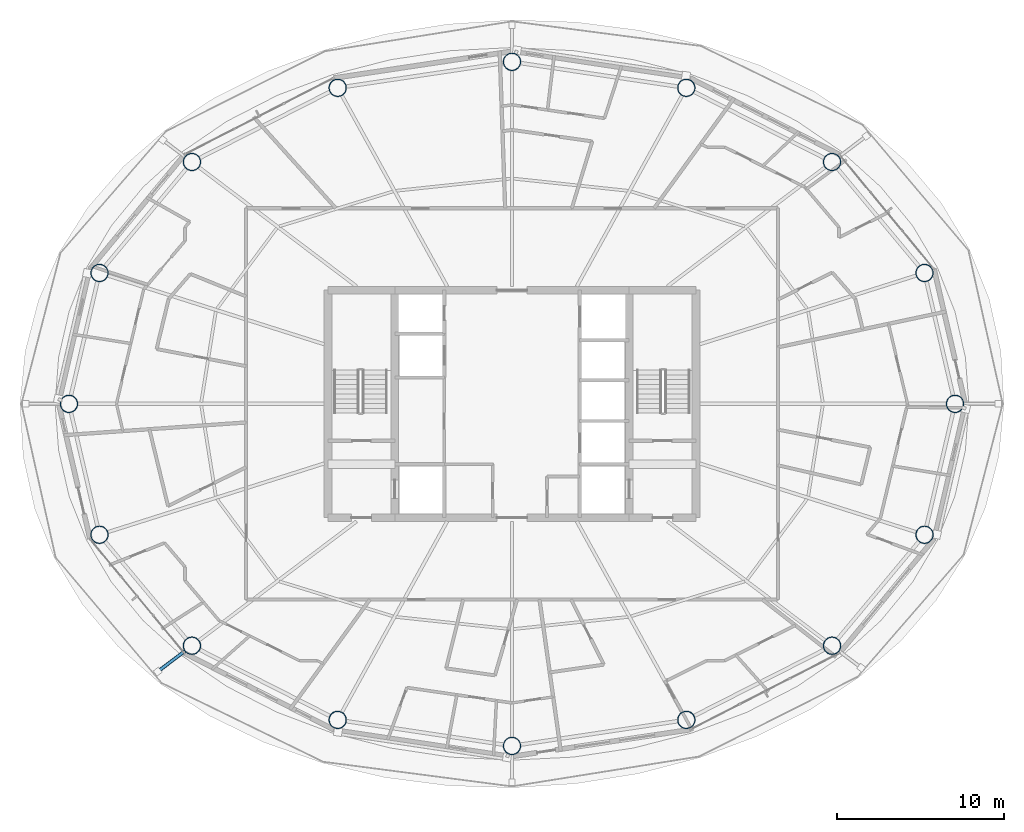
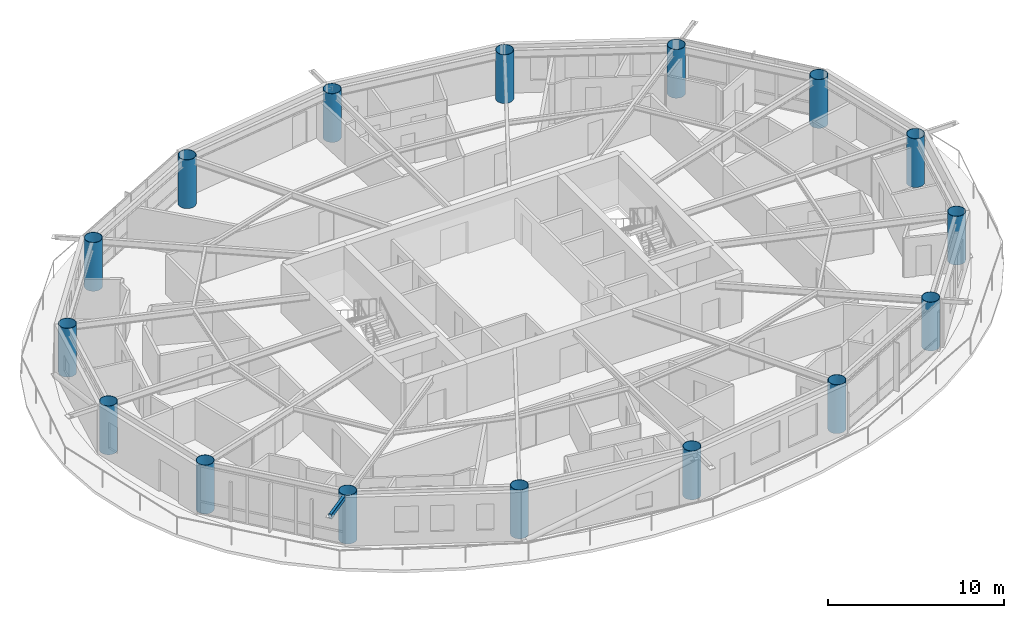
# One storey, part 1 of 30: 16 columns, 1 member.
"""IFC4 building model written with IfcOpenShell, lengths in metres."""

import ifcopenshell
import ifcopenshell.guid

model = None  # the IFC model being written
_history = None  # IfcOwnerHistory: only IFC2X3 demands one
_inside = {}  # id of a spatial element -> (the spatial element, [elements in it])
_under = {}  # id of a project, library or spatial element -> (it, [spatial elements below it])
_declared = {}  # id of a project -> (the project, [libraries it declares])
_typed = {}  # id of a type object -> (the type object, [elements of that type])
_made_of = {}  # id of a material, layer set ... -> (it, [elements and type objects made of it])


def new_model(schema):
    """Start an empty IFC model of exactly this schema.

    Asked for "IFC4X3", IfcOpenShell would pick the latest addendum, in which some entities
    have other attributes; the version numbers below select the first issue.
    IFC2X3 requires an IfcOwnerHistory on every rooted entity: one is made here for all.
    """
    global model, _history
    if schema == "IFC4X3":
        model = ifcopenshell.file(schema_version=(4, 3, 0, 0))
    else:
        model = ifcopenshell.file(schema=schema)
    _inside.clear()
    _under.clear()
    _declared.clear()
    _typed.clear()
    _made_of.clear()
    _history = None
    if model.schema == "IFC2X3":
        org = make("IfcOrganization", Name="unknown")
        user = make(
            "IfcPersonAndOrganization",
            ThePerson=make("IfcPerson", FamilyName="unknown"),
            TheOrganization=org,
        )
        app = make(
            "IfcApplication",
            ApplicationDeveloper=org,
            Version="unknown",
            ApplicationFullName="unknown",
            ApplicationIdentifier="unknown",
        )
        _history = make(
            "IfcOwnerHistory",
            OwningUser=user,
            OwningApplication=app,
            ChangeAction="ADDED",
            CreationDate=0,
        )
    return model


def make(cls, **values):
    """One entity of the class cls with the attributes given. An attribute that is None is left unset."""
    return model.create_entity(
        cls, **{name: value for name, value in values.items() if value is not None}
    )


def rooted(cls, **values):
    """An entity with a GlobalId (a new one), such as an element, a storey or a relation."""
    return make(cls, GlobalId=ifcopenshell.guid.new(), OwnerHistory=_history, **values)


def si_unit(unit_type, name, prefix=None):
    """IfcSIUnit, for example si_unit("LENGTHUNIT", "METRE", prefix="MILLI")."""
    return make("IfcSIUnit", UnitType=unit_type, Prefix=prefix, Name=name)


def assignment(units):
    """IfcUnitAssignment: the units of a project."""
    return None if units is None else make("IfcUnitAssignment", Units=units)


def point(xyz):
    """IfcCartesianPoint."""
    return None if xyz is None else make("IfcCartesianPoint", Coordinates=xyz)


def direction(xyz):
    """IfcDirection."""
    return None if xyz is None else make("IfcDirection", DirectionRatios=xyz)


def frame(location, z_axis=None, x_axis=None):
    """IfcAxis2Placement3D, a coordinate frame: its origin and axes. An axis left out is left unset."""
    return make(
        "IfcAxis2Placement3D",
        Location=point(location),
        Axis=direction(z_axis),
        RefDirection=direction(x_axis),
    )


def frame_2d(location, x_axis=None):
    """IfcAxis2Placement2D, a coordinate frame in the plane: its origin and x axis."""
    return make(
        "IfcAxis2Placement2D", Location=point(location), RefDirection=direction(x_axis)
    )


def origin():
    """The frame at (0, 0, 0) with its axes left unset."""
    return frame((0.0, 0.0, 0.0))


def origin_2d():
    """The frame at (0, 0) in the plane with its x axis left unset."""
    return frame_2d((0.0, 0.0))


def place(relative_to, where):
    """IfcLocalPlacement: puts the frame where relative to a parent placement (None: the world)."""
    return make(
        "IfcLocalPlacement", PlacementRelTo=relative_to, RelativePlacement=where
    )


def context(
    kind, dimensions, precision=None, world=None, true_north=None, identifier=None
):
    """IfcGeometricRepresentationContext, for example the 3D "Model" context."""
    return make(
        "IfcGeometricRepresentationContext",
        ContextIdentifier=identifier,
        ContextType=kind,
        CoordinateSpaceDimension=dimensions,
        Precision=precision,
        WorldCoordinateSystem=world,
        TrueNorth=true_north,
    )


def subcontext(parent, identifier, kind, view, scale=None):
    """IfcGeometricRepresentationSubContext, for example "Body" below "Model"."""
    return make(
        "IfcGeometricRepresentationSubContext",
        ContextIdentifier=identifier,
        ContextType=kind,
        ParentContext=parent,
        TargetScale=scale,
        TargetView=view,
    )


def project(units=None, contexts=None):
    """IfcProject with its units and contexts."""
    return rooted(
        "IfcProject",
        Name="project",
        RepresentationContexts=contexts,
        UnitsInContext=assignment(units),
    )


def spatial(cls, under=None, at=None, **own):
    """A site, building, storey or space (cls), placed at a placement, below another one or the project."""
    s = rooted(cls, ObjectPlacement=at, **own)
    if under is not None:
        _under.setdefault(under.id(), (under, []))[1].append(s)
    return s


def profile(cls, at=None, kind="AREA", **sizes):
    """A parametric profile (cls). Its sizes go by their IFC names, for example OverallWidth=200.0."""
    return make(cls, ProfileType=kind, Position=at, **sizes)


def hollow_rectangle(**sizes):
    """IfcRectangleHollowProfileDef."""
    return profile("IfcRectangleHollowProfileDef", **sizes)


def hollow_circle(**sizes):
    """IfcCircleHollowProfileDef."""
    return profile("IfcCircleHollowProfileDef", **sizes)


def extrude(swept, where, along, depth):
    """IfcExtrudedAreaSolid: the profile swept, set in the frame where, extruded along a direction by depth."""
    return make(
        "IfcExtrudedAreaSolid",
        SweptArea=swept,
        Position=where,
        ExtrudedDirection=direction(along),
        Depth=depth,
    )


def shape(context_of_items, identifier, shape_type, items):
    """IfcShapeRepresentation: the items that make up one representation, for example the "Body"."""
    return make(
        "IfcShapeRepresentation",
        ContextOfItems=context_of_items,
        RepresentationIdentifier=identifier,
        RepresentationType=shape_type,
        Items=items,
    )


def material(Name=None, Category=None):
    """IfcMaterial."""
    return make("IfcMaterial", Name=Name, Category=Category)


def material_profile(
    of_material, cross_section, Name=None, Category=None, Priority=None
):
    """IfcMaterialProfile: a cross section and its material."""
    return make(
        "IfcMaterialProfile",
        Name=Name,
        Material=of_material,
        Profile=cross_section,
        Priority=Priority,
        Category=Category,
    )


def profile_set(profiles, Name=None, composite=None):
    """IfcMaterialProfileSet."""
    return make(
        "IfcMaterialProfileSet",
        Name=Name,
        MaterialProfiles=profiles,
        CompositeProfile=composite,
    )


def made_of(thing, what):
    """Note that an element or type object is made of a material, layer set ...; save() writes the relation."""
    if what is not None:
        _made_of.setdefault(what.id(), (what, []))[1].append(thing)
    return thing


def type_object(cls, material=None, **own):
    """A type object (cls), such as IfcWallType, which elements share."""
    return made_of(rooted(cls, **own), material)


def element(
    cls,
    number,
    at=None,
    inside=None,
    cuts=None,
    type_object=None,
    material=None,
    context=None,
    identifier="Body",
    shape_type=None,
    held_by="IfcProductDefinitionShape",
    body=None,
    shapes=None,
    **own,
):
    """One element of the class cls, such as IfcWall. Its Tag is "e" and its number.

    at: its placement. inside: the storey or other place that contains it. cuts: it is an
    opening in that element (IfcRelVoidsElement). A single representation is given by context,
    identifier, shape_type and body (its items); several are given by shapes. held_by: the class
    of the entity that holds the representations. save() writes the other relations.
    """
    e = rooted(cls, Tag="e%d" % number, ObjectPlacement=at, **own)
    if body is not None:
        shapes = [shape(context, identifier, shape_type, body)]
    if shapes is not None:
        e.Representation = make(held_by, Representations=shapes)
    if inside is not None:
        _inside.setdefault(inside.id(), (inside, []))[1].append(e)
    if cuts is not None:
        rooted(
            "IfcRelVoidsElement", RelatingBuildingElement=cuts, RelatedOpeningElement=e
        )
    if type_object is not None:
        _typed.setdefault(type_object.id(), (type_object, []))[1].append(e)
    return made_of(e, material)


def aggregate(whole, parts):
    """IfcRelAggregates: a whole, such as a stair, and the parts it consists of."""
    return rooted("IfcRelAggregates", RelatingObject=whole, RelatedObjects=parts)


def save(model, path):
    """Write the relations noted so far, then the file.

    IfcRelAggregates (storeys below a building ...), IfcRelContainedInSpatialStructure (elements
    in a storey), IfcRelDefinesByType, IfcRelAssociatesMaterial and IfcRelDeclares: one each for
    every whole, place, type object, material and project.
    """
    for whole, parts in _under.values():
        aggregate(whole, parts)
    for where, things in _inside.values():
        rooted(
            "IfcRelContainedInSpatialStructure",
            RelatedElements=things,
            RelatingStructure=where,
        )
    for kind, things in _typed.values():
        rooted("IfcRelDefinesByType", RelatedObjects=things, RelatingType=kind)
    for what, things in _made_of.values():
        rooted("IfcRelAssociatesMaterial", RelatedObjects=things, RelatingMaterial=what)
    for by, libraries in _declared.values():
        rooted("IfcRelDeclares", RelatingContext=by, RelatedDefinitions=libraries)
    model.write(path)


model = new_model("IFC4")

# Units and contexts
model_context = context("Model", 3, precision=1e-05, world=origin(), true_north=direction((0.0, 1.0)))
body_context = subcontext(model_context, "Body", "Model", "MODEL_VIEW")
ifc_project = project(units=[si_unit("LENGTHUNIT", "METRE"), si_unit("AREAUNIT", "SQUARE_METRE"), si_unit("VOLUMEUNIT", "CUBIC_METRE"), si_unit("PLANEANGLEUNIT", "RADIAN"), si_unit("MASSUNIT", "GRAM", prefix="KILO")], contexts=[model_context])

# Site, building, storey
site_placement = place(None, origin())
site = spatial("IfcSite", under=ifc_project, at=site_placement, CompositionType="ELEMENT")
building_placement = place(site_placement, origin())
building = spatial("IfcBuilding", under=site, at=building_placement, Name="Sarneth Arch Tower", CompositionType="ELEMENT")
storey_placement = place(building_placement, frame((0.0, 0.0, 168.60009765625)))
storey = spatial("IfcBuildingStorey", under=building, at=storey_placement, Name="L42", CompositionType="ELEMENT", Elevation=168.60009765625)

# Columns
ifc_material_1 = material(Name="Steel S355", Category="steel")
ifc_material_profile_1 = material_profile(ifc_material_1, hollow_circle(Radius=0.52490234375, WallThickness=0.028076171875, at=origin_2d()), Name="CHS1050x28")
ifc_profile_set_1 = profile_set([ifc_material_profile_1], Name="Steel S355")
column_type = type_object("IfcColumnType", Name="COL-MEGA-1050", PredefinedType="COLUMN", material=ifc_profile_set_1)
for number, where, z_axis, x_axis, name in (
    (1, (74.487060546875, 42.0, 0.0), (0.0, 0.0, 1.0), (1.0, 0.0, 0.0), "L42 Perimeter mega-column M01"),
    (2, (72.662109375, 49.825927734375, 0.0), (0.0, 0.0, 1.0), (1.0, 0.0, 0.0), "L42 Perimeter mega-column M02"),
    (3, (67.1337890625, 56.46044921875, 0.0), (0.0, 0.0, 1.0), (1.0, 0.0, 0.0), "L42 Perimeter mega-column M03"),
    (4, (58.421875, 60.893310546875, 0.0), (0.0, 0.0, 1.0), (1.0, 0.0, 0.0), "L42 Perimeter mega-column M04"),
    (5, (48.0, 62.449951171875, 0.0), (0.0, 0.0, 1.0), (1.0, 0.0, 0.0), "L42 Perimeter mega-column M05"),
    (6, (37.578125, 60.893310546875, 0.0), (0.0, 0.0, 1.0), (1.0, 0.0, 0.0), "L42 Perimeter mega-column M06"),
    (7, (28.8662109375, 56.46044921875, 0.0), (0.0, 0.0, 1.0), (1.0, 0.0, 0.0), "L42 Perimeter mega-column M07"),
    (8, (23.337890625, 49.825927734375, 0.0), (0.0, 0.0, 1.0), (1.0, 0.0, 0.0), "L42 Perimeter mega-column M08"),
    (9, (21.512939453125, 42.0, 0.0), (0.0, 0.0, 1.0), (1.0, 0.0, 0.0), "L42 Perimeter mega-column M09"),
    (10, (23.337890625, 34.174072265625, 0.0), (0.0, 0.0, 1.0), (1.0, 0.0, 0.0), "L42 Perimeter mega-column M10"),
    (11, (28.8662109375, 27.53955078125, 0.0), (0.0, 0.0, 1.0), (1.0, 0.0, 0.0), "L42 Perimeter mega-column M11"),
    (12, (37.578125, 23.106689453125, 0.0), (0.0, 0.0, 1.0), (1.0, 0.0, 0.0), "L42 Perimeter mega-column M12"),
    (13, (48.0, 21.550048828125, 0.0), (0.0, 0.0, 1.0), (1.0, 0.0, 0.0), "L42 Perimeter mega-column M13"),
    (14, (58.421875, 23.106689453125, 0.0), (0.0, 0.0, 1.0), (1.0, 0.0, 0.0), "L42 Perimeter mega-column M14"),
    (15, (67.1337890625, 27.53955078125, 0.0), (0.0, 0.0, 1.0), (1.0, 0.0, 0.0), "L42 Perimeter mega-column M15"),
    (16, (72.662109375, 34.174072265625, 0.0), (0.0, 0.0, 1.0), (1.0, 0.0, 0.0), "L42 Perimeter mega-column M16"),
):
    element("IfcColumn", number, at=place(storey_placement, frame(where, z_axis=z_axis, x_axis=x_axis)), inside=storey, type_object=column_type, Name=name, PredefinedType="COLUMN", context=body_context, shape_type="SweptSolid", body=[
        extrude(hollow_circle(Radius=0.52490234375, WallThickness=0.028076171875, at=origin_2d()), origin(), (0.0, 0.0, 1.0), 3.3798828125),
    ])

# Member
ifc_material_2 = material(Name="Steel S355", Category="steel")
ifc_material_profile_2 = material_profile(ifc_material_2, hollow_rectangle(XDim=0.199951171875, YDim=0.300048828125, WallThickness=0.012451171875, InnerFilletRadius=0.018798828125, OuterFilletRadius=0.03125, at=origin_2d()), Name="RHS300x200x12.5")
ifc_profile_set_2 = profile_set([ifc_material_profile_2], Name="Steel S355")
member_type = type_object("IfcMemberType", Name="MEM-CANT-STRUT", PredefinedType="STRUT", material=ifc_profile_set_2)
member_placement = place(storey_placement, frame((28.447265625, 27.22314453125, 3.219970703125), z_axis=(-0.797740730298, -0.603000603004, 0.0), x_axis=(0.603000603004, -0.797740730298, 0.0)))
element("IfcMember", 17, at=member_placement, inside=storey, type_object=member_type, Name="L42 Balcony cantilever bracket 11", PredefinedType="STRUT", context=body_context, shape_type="SweptSolid", body=[
    extrude(hollow_rectangle(XDim=0.199951171875, YDim=0.300048828125, WallThickness=0.012451171875, InnerFilletRadius=0.018798828125, OuterFilletRadius=0.03125, at=origin_2d()), origin(), (0.0, 0.0, 1.0), 2.041015625),
])

save(model, "model.ifc")
